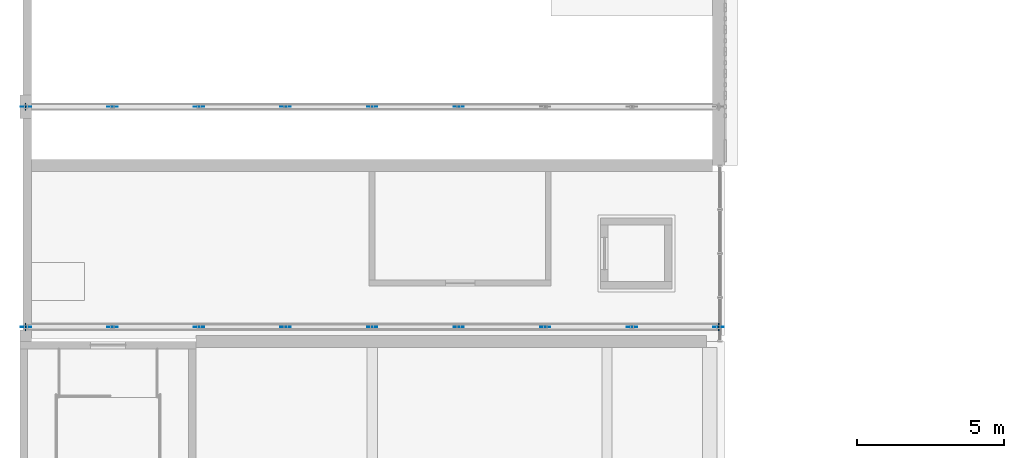
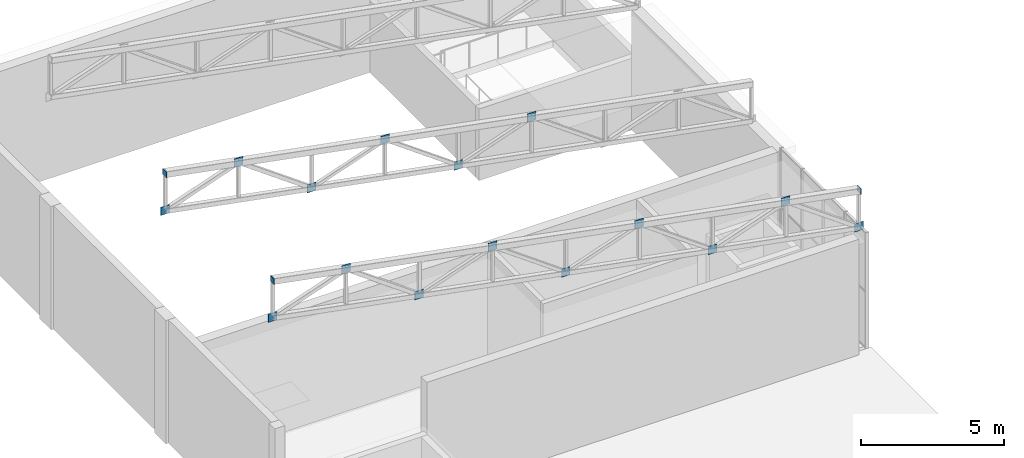
# One storey, part 83 of 125: 18 discrete accessories.
"""IFC4 building model written with IfcOpenShell, lengths in metres."""

from ifc_helpers import new_model, si_unit, direction, frame, origin, origin_2d, place, context, subcontext, project, spatial, rectangle, extrude, material, material_profile, profile_set, type_object, element, save


model = new_model("IFC4")

# Units and contexts
model_context = context("Model", 3, precision=1e-05, world=origin(), true_north=direction((0.0, 1.0)))
body_context = subcontext(model_context, "Body", "Model", "MODEL_VIEW")
ifc_project = project(units=[si_unit("LENGTHUNIT", "METRE"), si_unit("AREAUNIT", "SQUARE_METRE"), si_unit("VOLUMEUNIT", "CUBIC_METRE"), si_unit("PLANEANGLEUNIT", "RADIAN"), si_unit("MASSUNIT", "GRAM", prefix="KILO")], contexts=[model_context])

# Site, building, storey
site_placement = place(None, origin())
site = spatial("IfcSite", under=ifc_project, at=site_placement, CompositionType="ELEMENT")
building_placement = place(site_placement, origin())
building = spatial("IfcBuilding", under=site, at=building_placement, Name="Sun Court Science Centre", CompositionType="ELEMENT")
storey_placement = place(building_placement, frame((0.0, 0.0, 6.0)))
storey = spatial("IfcBuildingStorey", under=building, at=storey_placement, Name="L01", CompositionType="ELEMENT", Elevation=6.0)

# Discrete accessories
ifc_material_1 = material(Name="Steel S355", Category="steel")
discrete_accessory_type_1 = type_object("IfcDiscreteAccessoryType", Name="Hollow section end plate 20", PredefinedType="BRACKET", material=ifc_material_1)
for number, where, z_axis, x_axis, name in (
    (1, (0.18994140625, 48.5, 10.79248046875), (0.0, 0.0, 1.0), (1.0, 0.0, 0.0), "Roof truss 1 top chord end plate"),
    (2, (23.81005859375, 48.5, 6.367431640625), (0.0, 0.0, 1.0), (1.0, 0.0, 0.0), "Roof truss 1 top chord end plate"),
    (3, (0.18994140625, 56.0, 10.79248046875), (0.0, 0.0, 1.0), (1.0, 0.0, 0.0), "Roof truss 2 top chord end plate"),
):
    element("IfcDiscreteAccessory", number, at=place(storey_placement, frame(where, z_axis=z_axis, x_axis=x_axis)), inside=storey, type_object=discrete_accessory_type_1, Name=name, PredefinedType="BRACKET", context=body_context, shape_type="SweptSolid", body=[
        extrude(rectangle(XDim=0.02001953125, YDim=0.25, at=origin_2d()), origin(), (0.0, 0.0, 1.0), 0.25),
    ])
ifc_material_2 = material(Name="Steel S355", Category="steel")
ifc_material_profile = material_profile(ifc_material_2, rectangle(XDim=0.35009765625, YDim=0.35009765625, at=origin_2d()), Name="PL 350x350")
ifc_profile_set = profile_set([ifc_material_profile], Name="Steel S355")
discrete_accessory_type_2 = type_object("IfcDiscreteAccessoryType", Name="Truss gusset plate 350x350x15", PredefinedType="BRACKET", material=ifc_profile_set)
for number, where, z_axis, x_axis, name in (
    (4, (0.199951171875, 48.492431640625, 9.342529296875), (0.0, 1.0, 0.0), (-1.0, 0.0, 0.0), "Truss gusset plate 1"),
    (5, (3.14990234375, 48.492431640625, 10.3642578125), (0.0, 1.0, 0.0), (-1.0, 0.0, 0.0), "Truss gusset plate 2"),
    (6, (6.10009765625, 48.492431640625, 8.236328125), (0.0, 1.0, 0.0), (-1.0, 0.0, 0.0), "Truss gusset plate 3"),
    (7, (9.050048828125, 48.492431640625, 9.258056640625), (0.0, 1.0, 0.0), (-1.0, 0.0, 0.0), "Truss gusset plate 4"),
    (8, (12.0, 48.492431640625, 7.1298828125), (0.0, 1.0, 0.0), (-1.0, 0.0, 0.0), "Truss gusset plate 5"),
    (9, (14.949951171875, 48.492431640625, 8.15185546875), (0.0, 1.0, 0.0), (-1.0, 0.0, 0.0), "Truss gusset plate 6"),
    (10, (17.89990234375, 48.492431640625, 6.023681640625), (0.0, 1.0, 0.0), (-1.0, 0.0, 0.0), "Truss gusset plate 7"),
    (11, (20.85009765625, 48.492431640625, 7.045654296875), (0.0, 1.0, 0.0), (-1.0, 0.0, 0.0), "Truss gusset plate 8"),
    (12, (23.800048828125, 48.492431640625, 4.91748046875), (0.0, 1.0, 0.0), (-1.0, 0.0, 0.0), "Truss gusset plate 9"),
    (13, (0.199951171875, 55.992431640625, 9.342529296875), (0.0, 1.0, 0.0), (-1.0, 0.0, 0.0), "Truss gusset plate 10"),
    (14, (3.14990234375, 55.992431640625, 10.3642578125), (0.0, 1.0, 0.0), (-1.0, 0.0, 0.0), "Truss gusset plate 11"),
    (15, (6.10009765625, 55.992431640625, 8.236328125), (0.0, 1.0, 0.0), (-1.0, 0.0, 0.0), "Truss gusset plate 12"),
    (16, (9.050048828125, 55.992431640625, 9.258056640625), (0.0, 1.0, 0.0), (-1.0, 0.0, 0.0), "Truss gusset plate 13"),
    (17, (12.0, 55.992431640625, 7.1298828125), (0.0, 1.0, 0.0), (-1.0, 0.0, 0.0), "Truss gusset plate 14"),
    (18, (14.949951171875, 55.992431640625, 8.15185546875), (0.0, 1.0, 0.0), (-1.0, 0.0, 0.0), "Truss gusset plate 15"),
):
    element("IfcDiscreteAccessory", number, at=place(storey_placement, frame(where, z_axis=z_axis, x_axis=x_axis)), inside=storey, type_object=discrete_accessory_type_2, Name=name, PredefinedType="BRACKET", context=body_context, shape_type="SweptSolid", body=[
        extrude(rectangle(XDim=0.35009765625, YDim=0.35009765625, at=origin_2d()), origin(), (0.0, 0.0, 1.0), 0.01513671875),
    ])

save(model, "model.ifc")
